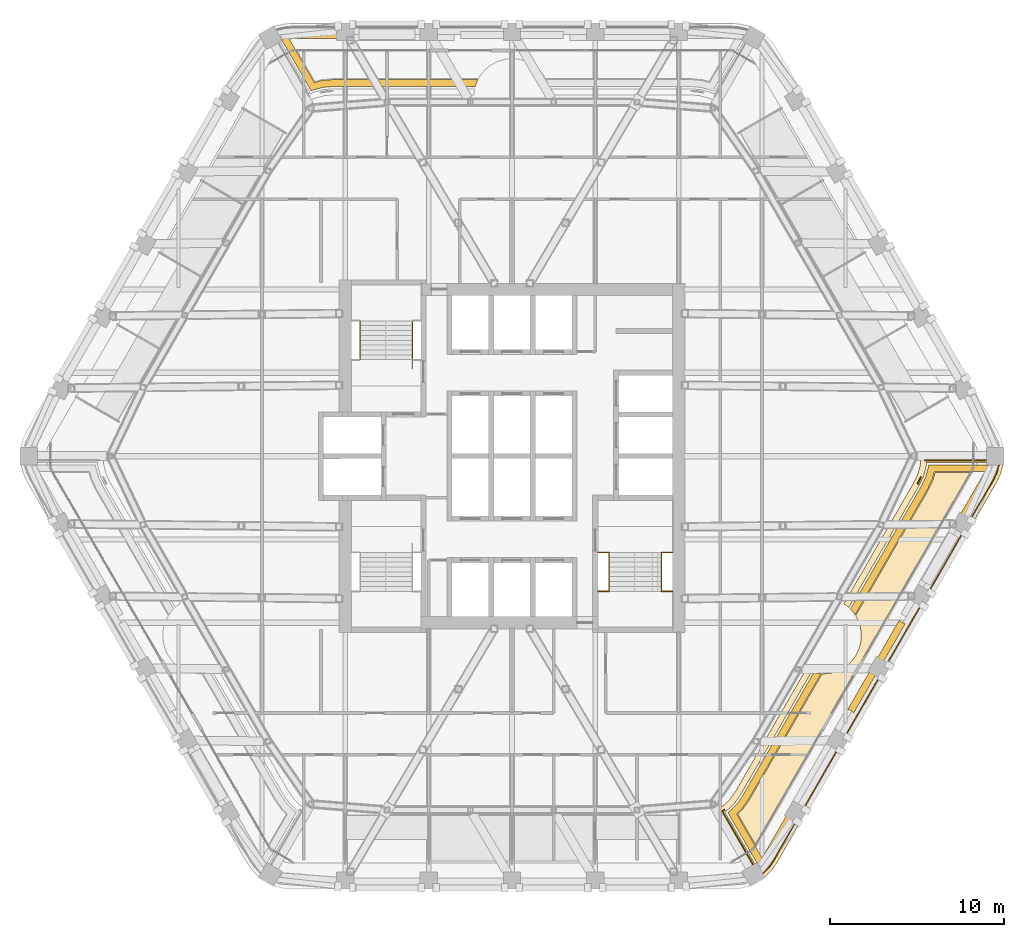
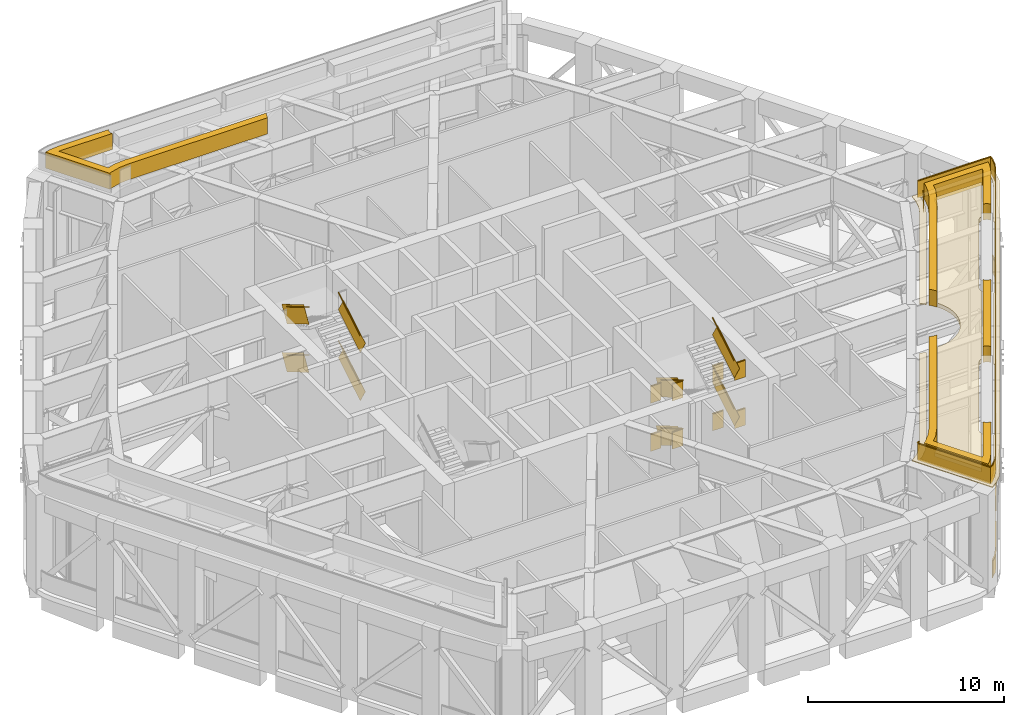
# One storey, part 23 of 24: 6 coverings, 5 railings.
"""IFC4 building model written with IfcOpenShell, lengths in metres."""

from ifc_helpers import new_model, si_unit, direction, frame, frame_2d, origin, origin_2d, place, context, subcontext, project, spatial, polyline, rectangle, outline, extrude, material, layer, layer_set, type_object, element, save


model = new_model("IFC4")

# Units and contexts
model_context = context("Model", 3, precision=1e-05, world=origin(), true_north=direction((0.0, 1.0)))
body_context = subcontext(model_context, "Body", "Model", "MODEL_VIEW")
ifc_project = project(units=[si_unit("LENGTHUNIT", "METRE"), si_unit("AREAUNIT", "SQUARE_METRE"), si_unit("VOLUMEUNIT", "CUBIC_METRE"), si_unit("PLANEANGLEUNIT", "RADIAN"), si_unit("MASSUNIT", "GRAM", prefix="KILO")], contexts=[model_context])

# Site, building, storey
site_placement = place(None, origin())
site = spatial("IfcSite", under=ifc_project, at=site_placement, CompositionType="ELEMENT")
building_placement = place(site_placement, origin())
building = spatial("IfcBuilding", under=site, at=building_placement, Name="Kolab Exchange Tower", CompositionType="ELEMENT")
storey_placement = place(building_placement, frame((0.0, 0.0, 216.800048828125)))
storey = spatial("IfcBuildingStorey", under=building, at=storey_placement, Name="L47", CompositionType="ELEMENT", Elevation=216.800048828125)

# Railings
ifc_material_1 = material(Name="Stainless steel 316", Category="steel")
railing_type_1 = type_object("IfcRailingType", Name="GUARD 1100", PredefinedType="GUARDRAIL", material=ifc_material_1)
railing_1_placement = place(storey_placement, frame((-5.739990234375, 5.550048828125, 0.166748046875)))
element("IfcRailing", 1, at=railing_1_placement, inside=storey, type_object=railing_type_1, Name="Handrail guard ST1", PredefinedType="GUARDRAIL", context=body_context, shape_type="SweptSolid", body=[
    extrude(rectangle(XDim=0.05, YDim=0.05, at=origin_2d()), frame((0.0, 0.0, 1.0751953125), z_axis=(0.0, 0.859305625298, 0.511462454469), x_axis=(-1.0, 0.0, 0.0)), (0.0, 0.0, 1.0), 2.606689453125),
    extrude(rectangle(XDim=0.012, YDim=1.05009765625, at=frame_2d((0.0, 0.525146484375))), frame((0.0, 0.0, 0.0), z_axis=(0.0, 0.859305625298, 0.511462454469), x_axis=(-1.0, 0.0, 0.0)), (0.0, 0.0, 1.0), 2.606689453125),
    extrude(rectangle(XDim=0.05, YDim=0.05, at=origin_2d()), frame((-3.02001953125, 2.239990234375, 2.5751953125), z_axis=(0.0, -0.859305625298, 0.511462454469), x_axis=(1.0, 0.0, 0.0)), (0.0, 0.0, 1.0), 2.606689453125),
    extrude(rectangle(XDim=0.012, YDim=1.05009765625, at=frame_2d((0.0, 0.525146484375))), frame((-3.02001953125, 2.239990234375, 1.5), z_axis=(0.0, -0.859305625298, 0.511462454469), x_axis=(1.0, 0.0, 0.0)), (0.0, 0.0, 1.0), 2.606689453125),
    extrude(rectangle(XDim=0.05, YDim=0.05, at=origin_2d()), frame((0.0, 0.0, 4.0751953125), z_axis=(0.0, 0.859305625298, 0.511462454469), x_axis=(-1.0, 0.0, 0.0)), (0.0, 0.0, 1.0), 2.606689453125),
    extrude(rectangle(XDim=0.012, YDim=1.05009765625, at=frame_2d((0.0, 0.525146484375))), frame((0.0, 0.0, 3.0), z_axis=(0.0, 0.859305625298, 0.511462454469), x_axis=(-1.0, 0.0, 0.0)), (0.0, 0.0, 1.0), 2.606689453125),
    extrude(rectangle(XDim=0.05, YDim=0.05, at=origin_2d()), frame((-3.02001953125, 2.239990234375, 5.5751953125), z_axis=(0.0, -0.859305625298, 0.511462454469), x_axis=(1.0, 0.0, 0.0)), (0.0, 0.0, 1.0), 2.606689453125),
    extrude(rectangle(XDim=0.012, YDim=1.05009765625, at=frame_2d((0.0, 0.525146484375))), frame((-3.02001953125, 2.239990234375, 4.5), z_axis=(0.0, -0.859305625298, 0.511462454469), x_axis=(1.0, 0.0, 0.0)), (0.0, 0.0, 1.0), 2.606689453125),
])
railing_2_placement = place(storey_placement, frame((4.949951171875, -5.550048828125, 0.0)))
element("IfcRailing", 2, at=railing_2_placement, inside=storey, type_object=railing_type_1, Name="Guard ST2", PredefinedType="GUARDRAIL", context=body_context, shape_type="SweptSolid", body=[
    extrude(rectangle(XDim=0.05, YDim=0.05, at=origin_2d()), frame((0.0, 0.0, 1.0751953125), z_axis=(1.0, 0.0, 0.0), x_axis=(0.0, 1.0, 0.0)), (0.0, 0.0, 1.0), 0.64013671875),
    extrude(rectangle(XDim=0.012, YDim=1.05009765625, at=frame_2d((0.0, 0.525146484375))), frame((0.0, 0.0, 0.0), z_axis=(1.0, 0.0, 0.0), x_axis=(0.0, 1.0, 0.0)), (0.0, 0.0, 1.0), 0.64013671875),
    extrude(rectangle(XDim=0.05, YDim=0.05, at=origin_2d()), frame((3.66015625, 0.0, 1.0751953125), z_axis=(1.0, 0.0, 0.0), x_axis=(0.0, 1.0, 0.0)), (0.0, 0.0, 1.0), 0.639892578125),
    extrude(rectangle(XDim=0.012, YDim=1.05009765625, at=frame_2d((0.0, 0.525146484375))), frame((3.66015625, 0.0, 0.0), z_axis=(1.0, 0.0, 0.0), x_axis=(0.0, 1.0, 0.0)), (0.0, 0.0, 1.0), 0.639892578125),
    extrude(rectangle(XDim=0.05, YDim=0.05, at=origin_2d()), frame((0.0, -2.239990234375, 2.5751953125), z_axis=(1.0, 0.0, 0.0), x_axis=(0.0, 1.0, 0.0)), (0.0, 0.0, 1.0), 0.64013671875),
    extrude(rectangle(XDim=0.012, YDim=1.05009765625, at=frame_2d((0.0, 0.525146484375))), frame((0.0, -2.239990234375, 1.5), z_axis=(1.0, 0.0, 0.0), x_axis=(0.0, 1.0, 0.0)), (0.0, 0.0, 1.0), 0.64013671875),
    extrude(rectangle(XDim=0.05, YDim=0.05, at=origin_2d()), frame((3.66015625, -2.239990234375, 2.5751953125), z_axis=(1.0, 0.0, 0.0), x_axis=(0.0, 1.0, 0.0)), (0.0, 0.0, 1.0), 0.639892578125),
    extrude(rectangle(XDim=0.012, YDim=1.05009765625, at=frame_2d((0.0, 0.525146484375))), frame((3.66015625, -2.239990234375, 1.5), z_axis=(1.0, 0.0, 0.0), x_axis=(0.0, 1.0, 0.0)), (0.0, 0.0, 1.0), 0.639892578125),
    extrude(rectangle(XDim=0.05, YDim=0.05, at=origin_2d()), frame((0.0, 0.0, 4.0751953125), z_axis=(1.0, 0.0, 0.0), x_axis=(0.0, 1.0, 0.0)), (0.0, 0.0, 1.0), 0.64013671875),
    extrude(rectangle(XDim=0.012, YDim=1.05009765625, at=frame_2d((0.0, 0.525146484375))), frame((0.0, 0.0, 3.0), z_axis=(1.0, 0.0, 0.0), x_axis=(0.0, 1.0, 0.0)), (0.0, 0.0, 1.0), 0.64013671875),
    extrude(rectangle(XDim=0.05, YDim=0.05, at=origin_2d()), frame((3.66015625, 0.0, 4.0751953125), z_axis=(1.0, 0.0, 0.0), x_axis=(0.0, 1.0, 0.0)), (0.0, 0.0, 1.0), 0.639892578125),
    extrude(rectangle(XDim=0.012, YDim=1.05009765625, at=frame_2d((0.0, 0.525146484375))), frame((3.66015625, 0.0, 3.0), z_axis=(1.0, 0.0, 0.0), x_axis=(0.0, 1.0, 0.0)), (0.0, 0.0, 1.0), 0.639892578125),
    extrude(rectangle(XDim=0.05, YDim=0.05, at=origin_2d()), frame((0.0, -2.239990234375, 5.5751953125), z_axis=(1.0, 0.0, 0.0), x_axis=(0.0, 1.0, 0.0)), (0.0, 0.0, 1.0), 0.64013671875),
    extrude(rectangle(XDim=0.012, YDim=1.05009765625, at=frame_2d((0.0, 0.525146484375))), frame((0.0, -2.239990234375, 4.5), z_axis=(1.0, 0.0, 0.0), x_axis=(0.0, 1.0, 0.0)), (0.0, 0.0, 1.0), 0.64013671875),
    extrude(rectangle(XDim=0.05, YDim=0.05, at=origin_2d()), frame((3.66015625, -2.239990234375, 5.5751953125), z_axis=(1.0, 0.0, 0.0), x_axis=(0.0, 1.0, 0.0)), (0.0, 0.0, 1.0), 0.639892578125),
    extrude(rectangle(XDim=0.012, YDim=1.05009765625, at=frame_2d((0.0, 0.525146484375))), frame((3.66015625, -2.239990234375, 4.5), z_axis=(1.0, 0.0, 0.0), x_axis=(0.0, 1.0, 0.0)), (0.0, 0.0, 1.0), 0.639892578125),
])
railing_3_placement = place(storey_placement, frame((5.590087890625, -5.550048828125, 0.166748046875)))
element("IfcRailing", 3, at=railing_3_placement, inside=storey, type_object=railing_type_1, Name="Handrail guard ST2", PredefinedType="GUARDRAIL", context=body_context, shape_type="SweptSolid", body=[
    extrude(rectangle(XDim=0.05, YDim=0.05, at=origin_2d()), frame((0.0, 0.0, 1.0751953125), z_axis=(0.0, -0.859305625298, 0.511462454469), x_axis=(1.0, 0.0, 0.0)), (0.0, 0.0, 1.0), 2.606689453125),
    extrude(rectangle(XDim=0.012, YDim=1.05009765625, at=frame_2d((0.0, 0.525146484375))), frame((0.0, 0.0, 0.0), z_axis=(0.0, -0.859305625298, 0.511462454469), x_axis=(1.0, 0.0, 0.0)), (0.0, 0.0, 1.0), 2.606689453125),
    extrude(rectangle(XDim=0.05, YDim=0.05, at=origin_2d()), frame((3.02001953125, -2.239990234375, 2.5751953125), z_axis=(0.0, 0.859305625298, 0.511462454469), x_axis=(-1.0, 0.0, 0.0)), (0.0, 0.0, 1.0), 2.606689453125),
    extrude(rectangle(XDim=0.012, YDim=1.05009765625, at=frame_2d((0.0, 0.525146484375))), frame((3.02001953125, -2.239990234375, 1.5), z_axis=(0.0, 0.859305625298, 0.511462454469), x_axis=(-1.0, 0.0, 0.0)), (0.0, 0.0, 1.0), 2.606689453125),
    extrude(rectangle(XDim=0.05, YDim=0.05, at=origin_2d()), frame((0.0, 0.0, 4.0751953125), z_axis=(0.0, -0.859305625298, 0.511462454469), x_axis=(1.0, 0.0, 0.0)), (0.0, 0.0, 1.0), 2.606689453125),
    extrude(rectangle(XDim=0.012, YDim=1.05009765625, at=frame_2d((0.0, 0.525146484375))), frame((0.0, 0.0, 3.0), z_axis=(0.0, -0.859305625298, 0.511462454469), x_axis=(1.0, 0.0, 0.0)), (0.0, 0.0, 1.0), 2.606689453125),
    extrude(rectangle(XDim=0.05, YDim=0.05, at=origin_2d()), frame((3.02001953125, -2.239990234375, 5.5751953125), z_axis=(0.0, 0.859305625298, 0.511462454469), x_axis=(-1.0, 0.0, 0.0)), (0.0, 0.0, 1.0), 2.606689453125),
    extrude(rectangle(XDim=0.012, YDim=1.05009765625, at=frame_2d((0.0, 0.525146484375))), frame((3.02001953125, -2.239990234375, 4.5), z_axis=(0.0, 0.859305625298, 0.511462454469), x_axis=(-1.0, 0.0, 0.0)), (0.0, 0.0, 1.0), 2.606689453125),
])
ifc_material_2 = material(Name="Steel S235", Category="steel")
railing_type_2 = type_object("IfcRailingType", Name="GUARD 1100 GLASS BALUSTRADE AND STEEL TOP RAIL", PredefinedType="GUARDRAIL", material=ifc_material_2)
railing_4_placement = place(storey_placement, frame((14.4501953125, -24.033447265625, 0.0)))
element("IfcRailing", 4, at=railing_4_placement, inside=storey, type_object=railing_type_2, Name="Guard", PredefinedType="GUARDRAIL", context=body_context, shape_type="SweptSolid", body=[
    extrude(rectangle(XDim=0.05, YDim=0.05, at=origin_2d()), frame((0.0, 0.0, 1.0751953125), z_axis=(0.70737286085, 0.706840601361, 0.0), x_axis=(-0.706840601361, 0.70737286085, 0.0)), (0.0, 0.0, 1.0), 0.458740234375),
    extrude(rectangle(XDim=0.012, YDim=1.05009765625, at=frame_2d((0.0, 0.525146484375))), frame((0.0, 0.0, 0.0), z_axis=(0.70737286085, 0.706840601361, 0.0), x_axis=(-0.706840601361, 0.70737286085, 0.0)), (0.0, 0.0, 1.0), 0.458740234375),
    extrude(rectangle(XDim=0.05, YDim=0.05, at=origin_2d()), frame((0.324462890625, 0.32421875, 1.0751953125), z_axis=(0.573599091554, 0.819136180478, 0.0), x_axis=(-0.819136180478, 0.573599091554, 0.0)), (0.0, 0.0, 1.0), 0.479248046875),
    extrude(rectangle(XDim=0.012, YDim=1.05009765625, at=frame_2d((0.0, 0.525146484375))), frame((0.324462890625, 0.32421875, 0.0), z_axis=(0.573599091554, 0.819136180478, 0.0), x_axis=(-0.819136180478, 0.573599091554, 0.0)), (0.0, 0.0, 1.0), 0.479248046875),
    extrude(rectangle(XDim=0.05, YDim=0.05, at=origin_2d()), frame((0.599365234375, 0.716796875, 1.0751953125), z_axis=(0.499952873616, 0.866052610505, 0.0), x_axis=(-0.866052610505, 0.499952873616, 0.0)), (0.0, 0.0, 1.0), 2.568115234375),
    extrude(rectangle(XDim=0.012, YDim=1.05009765625, at=frame_2d((0.0, 0.525146484375))), frame((0.599365234375, 0.716796875, 0.0), z_axis=(0.499952873616, 0.866052610505, 0.0), x_axis=(-0.866052610505, 0.499952873616, 0.0)), (0.0, 0.0, 1.0), 2.568115234375),
    extrude(rectangle(XDim=0.05, YDim=0.05, at=origin_2d()), frame((2.38330078125, 3.806884765625, 1.0751953125), z_axis=(0.499994975061, 0.866028304915, 0.0), x_axis=(-0.866028304915, 0.499994975061, 0.0)), (0.0, 0.0, 1.0), 3.7998046875),
    extrude(rectangle(XDim=0.012, YDim=1.05009765625, at=frame_2d((0.0, 0.525146484375))), frame((2.38330078125, 3.806884765625, 0.0), z_axis=(0.499994975061, 0.866028304915, 0.0), x_axis=(-0.866028304915, 0.499994975061, 0.0)), (0.0, 0.0, 1.0), 3.7998046875),
    extrude(rectangle(XDim=0.05, YDim=0.05, at=origin_2d()), frame((4.783203125, 7.9638671875, 1.0751953125), z_axis=(0.500043160704, 0.866000483506, 0.0), x_axis=(-0.866000483506, 0.500043160704, 0.0)), (0.0, 0.0, 1.0), 3.800048828125),
    extrude(rectangle(XDim=0.012, YDim=1.05009765625, at=frame_2d((0.0, 0.525146484375))), frame((4.783203125, 7.9638671875, 0.0), z_axis=(0.500043160704, 0.866000483506, 0.0), x_axis=(-0.866000483506, 0.500043160704, 0.0)), (0.0, 0.0, 1.0), 3.800048828125),
    extrude(rectangle(XDim=0.05, YDim=0.05, at=origin_2d()), frame((7.183349609375, 12.12060546875, 1.0751953125), z_axis=(0.499967155389, 0.866044365799, 0.0), x_axis=(-0.866044365799, 0.499967155389, 0.0)), (0.0, 0.0, 1.0), 3.800048828125),
    extrude(rectangle(XDim=0.012, YDim=1.05009765625, at=frame_2d((0.0, 0.525146484375))), frame((7.183349609375, 12.12060546875, 0.0), z_axis=(0.499967155389, 0.866044365799, 0.0), x_axis=(-0.866044365799, 0.499967155389, 0.0)), (0.0, 0.0, 1.0), 3.800048828125),
    extrude(rectangle(XDim=0.05, YDim=0.05, at=origin_2d()), frame((9.583251953125, 16.277587890625, 1.0751953125), z_axis=(0.500015340139, 0.86601654697, 0.0), x_axis=(-0.86601654697, 0.500015340139, 0.0)), (0.0, 0.0, 1.0), 3.80029296875),
    extrude(rectangle(XDim=0.012, YDim=1.05009765625, at=frame_2d((0.0, 0.525146484375))), frame((9.583251953125, 16.277587890625, 0.0), z_axis=(0.500015340139, 0.86601654697, 0.0), x_axis=(-0.86601654697, 0.500015340139, 0.0)), (0.0, 0.0, 1.0), 3.80029296875),
    extrude(rectangle(XDim=0.05, YDim=0.05, at=origin_2d()), frame((11.9833984375, 20.4345703125, 1.0751953125), z_axis=(0.499994038704, 0.866028845513, 0.0), x_axis=(-0.866028845513, 0.499994038704, 0.0)), (0.0, 0.0, 1.0), 2.56787109375),
    extrude(rectangle(XDim=0.012, YDim=1.05009765625, at=frame_2d((0.0, 0.525146484375))), frame((11.9833984375, 20.4345703125, 0.0), z_axis=(0.499994038704, 0.866028845513, 0.0), x_axis=(-0.866028845513, 0.499994038704, 0.0)), (0.0, 0.0, 1.0), 2.56787109375),
    extrude(rectangle(XDim=0.05, YDim=0.05, at=origin_2d()), frame((13.267333984375, 22.658447265625, 1.0751953125), z_axis=(0.422801802984, 0.906222177721, 0.0), x_axis=(-0.906222177721, 0.422801802984, 0.0)), (0.0, 0.0, 1.0), 0.479248046875),
    extrude(rectangle(XDim=0.012, YDim=1.05009765625, at=frame_2d((0.0, 0.525146484375))), frame((13.267333984375, 22.658447265625, 0.0), z_axis=(0.422801802984, 0.906222177721, 0.0), x_axis=(-0.906222177721, 0.422801802984, 0.0)), (0.0, 0.0, 1.0), 0.479248046875),
    extrude(rectangle(XDim=0.05, YDim=0.05, at=origin_2d()), frame((13.469970703125, 23.0927734375, 1.0751953125), z_axis=(0.25865627591, 0.965969425465, 0.0), x_axis=(-0.965969425465, 0.25865627591, 0.0)), (0.0, 0.0, 1.0), 0.458740234375),
    extrude(rectangle(XDim=0.012, YDim=1.05009765625, at=frame_2d((0.0, 0.525146484375))), frame((13.469970703125, 23.0927734375, 0.0), z_axis=(0.25865627591, 0.965969425465, 0.0), x_axis=(-0.965969425465, 0.25865627591, 0.0)), (0.0, 0.0, 1.0), 0.458740234375),
])
railing_5_placement = place(storey_placement, frame((15.054931640625, -23.30712890625, 6.0)))
element("IfcRailing", 5, at=railing_5_placement, inside=storey, type_object=railing_type_2, Name="Ledge guard", PredefinedType="GUARDRAIL", context=body_context, shape_type="SweptSolid", body=[
    extrude(rectangle(XDim=0.05, YDim=0.05, at=origin_2d()), frame((8.3056640625, 21.701416015625, 1.0751953125), z_axis=(0.422680680611, 0.906278678023, 0.0), x_axis=(-0.906278678023, 0.422680680611, 0.0)), (0.0, 0.0, 1.0), 0.456787109375),
    extrude(rectangle(XDim=0.012, YDim=1.05009765625, at=frame_2d((0.0, 0.525146484375))), frame((8.3056640625, 21.701416015625, 0.0), z_axis=(0.422680680611, 0.906278678023, 0.0), x_axis=(-0.906278678023, 0.422680680611, 0.0)), (0.0, 0.0, 1.0), 0.456787109375),
    extrude(rectangle(XDim=0.05, YDim=0.05, at=origin_2d()), frame((8.7099609375, 23.05712890625, 1.0751953125), z_axis=(1.0, 0.0, 0.0), x_axis=(0.0, 1.0, 0.0)), (0.0, 0.0, 1.0), 4.298095703125),
    extrude(rectangle(XDim=0.012, YDim=1.05009765625, at=frame_2d((0.0, 0.525146484375))), frame((8.7099609375, 23.05712890625, 0.0), z_axis=(1.0, 0.0, 0.0), x_axis=(0.0, 1.0, 0.0)), (0.0, 0.0, 1.0), 4.298095703125),
    extrude(rectangle(XDim=0.05, YDim=0.05, at=origin_2d()), frame((13.008056640625, 23.05712890625, 1.0751953125), z_axis=(-0.086675791965, -0.996236571848, 0.0), x_axis=(0.996236571848, -0.086675791965, 0.0)), (0.0, 0.0, 1.0), 0.228271484375),
    extrude(rectangle(XDim=0.012, YDim=1.05009765625, at=frame_2d((0.0, 0.525146484375))), frame((13.008056640625, 23.05712890625, 0.0), z_axis=(-0.086675791965, -0.996236571848, 0.0), x_axis=(0.996236571848, -0.086675791965, 0.0)), (0.0, 0.0, 1.0), 0.228271484375),
    extrude(rectangle(XDim=0.05, YDim=0.05, at=origin_2d()), frame((12.98828125, 22.829833984375, 1.0751953125), z_axis=(-0.258803991931, -0.965929859648, 0.0), x_axis=(0.965929859648, -0.258803991931, 0.0)), (0.0, 0.0, 1.0), 0.479248046875),
    extrude(rectangle(XDim=0.012, YDim=1.05009765625, at=frame_2d((0.0, 0.525146484375))), frame((12.98828125, 22.829833984375, 0.0), z_axis=(-0.258803991931, -0.965929859648, 0.0), x_axis=(0.965929859648, -0.258803991931, 0.0)), (0.0, 0.0, 1.0), 0.479248046875),
    extrude(rectangle(XDim=0.05, YDim=0.05, at=origin_2d()), frame((12.8642578125, 22.366943359375, 1.0751953125), z_axis=(-0.422749163714, -0.906246734934, 0.0), x_axis=(0.906246734934, -0.422749163714, 0.0)), (0.0, 0.0, 1.0), 0.490234375),
    extrude(rectangle(XDim=0.012, YDim=1.05009765625, at=frame_2d((0.0, 0.525146484375))), frame((12.8642578125, 22.366943359375, 0.0), z_axis=(-0.422749163714, -0.906246734934, 0.0), x_axis=(0.906246734934, -0.422749163714, 0.0)), (0.0, 0.0, 1.0), 0.490234375),
    extrude(rectangle(XDim=0.05, YDim=0.05, at=origin_2d()), frame((12.656982421875, 21.922607421875, 1.0751953125), z_axis=(-0.499998788977, -0.866026102968, 0.0), x_axis=(0.866026102968, -0.499998788977, 0.0)), (0.0, 0.0, 1.0), 25.31396484375),
    extrude(rectangle(XDim=0.012, YDim=1.05009765625, at=frame_2d((0.0, 0.525146484375))), frame((12.656982421875, 21.922607421875, 0.0), z_axis=(-0.499998788977, -0.866026102968, 0.0), x_axis=(0.866026102968, -0.499998788977, 0.0)), (0.0, 0.0, 1.0), 25.31396484375),
    extrude(rectangle(XDim=0.05, YDim=0.05, at=origin_2d()), frame((0.0, 0.0, 1.0751953125), z_axis=(-0.573529226717, -0.819185098803, 0.0), x_axis=(0.819185098803, -0.573529226717, 0.0)), (0.0, 0.0, 1.0), 0.489990234375),
    extrude(rectangle(XDim=0.012, YDim=1.05009765625, at=frame_2d((0.0, 0.525146484375))), frame((0.0, 0.0, 0.0), z_axis=(-0.573529226717, -0.819185098803, 0.0), x_axis=(0.819185098803, -0.573529226717, 0.0)), (0.0, 0.0, 1.0), 0.489990234375),
    extrude(rectangle(XDim=0.05, YDim=0.05, at=origin_2d()), frame((-0.281005859375, -0.4013671875, 1.0751953125), z_axis=(-0.707106781187, -0.707106781187, 0.0), x_axis=(0.707106781187, -0.707106781187, 0.0)), (0.0, 0.0, 1.0), 0.479248046875),
    extrude(rectangle(XDim=0.012, YDim=1.05009765625, at=frame_2d((0.0, 0.525146484375))), frame((-0.281005859375, -0.4013671875, 0.0), z_axis=(-0.707106781187, -0.707106781187, 0.0), x_axis=(0.707106781187, -0.707106781187, 0.0)), (0.0, 0.0, 1.0), 0.479248046875),
    extrude(rectangle(XDim=0.05, YDim=0.05, at=origin_2d()), frame((-0.619873046875, -0.740234375, 1.0751953125), z_axis=(-0.819332409574, -0.573318761791, 0.0), x_axis=(0.573318761791, -0.819332409574, 0.0)), (0.0, 0.0, 1.0), 0.228271484375),
    extrude(rectangle(XDim=0.012, YDim=1.05009765625, at=frame_2d((0.0, 0.525146484375))), frame((-0.619873046875, -0.740234375, 0.0), z_axis=(-0.819332409574, -0.573318761791, 0.0), x_axis=(0.573318761791, -0.819332409574, 0.0)), (0.0, 0.0, 1.0), 0.228271484375),
    extrude(rectangle(XDim=0.05, YDim=0.05, at=origin_2d()), frame((-0.806884765625, -0.87109375, 1.0751953125), z_axis=(-0.500030579029, 0.866007748254, 0.0), x_axis=(-0.866007748254, -0.500030579029, 0.0)), (0.0, 0.0, 1.0), 4.298095703125),
    extrude(rectangle(XDim=0.012, YDim=1.05009765625, at=frame_2d((0.0, 0.525146484375))), frame((-0.806884765625, -0.87109375, 0.0), z_axis=(-0.500030579029, 0.866007748254, 0.0), x_axis=(-0.866007748254, -0.500030579029, 0.0)), (0.0, 0.0, 1.0), 4.298095703125),
    extrude(rectangle(XDim=0.05, YDim=0.05, at=origin_2d()), frame((-2.9560546875, 2.85107421875, 1.0751953125), z_axis=(0.819605581013, 0.572928173135, 0.0), x_axis=(-0.572928173135, 0.819605581013, 0.0)), (0.0, 0.0, 1.0), 0.1533203125),
    extrude(rectangle(XDim=0.012, YDim=1.05009765625, at=frame_2d((0.0, 0.525146484375))), frame((-2.9560546875, 2.85107421875, 0.0), z_axis=(0.819605581013, 0.572928173135, 0.0), x_axis=(-0.572928173135, 0.819605581013, 0.0)), (0.0, 0.0, 1.0), 0.1533203125),
])

# Coverings
ifc_material_3 = material(Name="Planting soil and turf", Category="soil")
ifc_layer_1 = layer(ifc_material_3, 0.25)
ifc_layer_set_1 = layer_set([ifc_layer_1], Name="Planting soil and turf")
covering_type_1 = type_object("IfcCoveringType", Name="PLANTING SOIL AND TURF 250", PredefinedType="USERDEFINED", material=ifc_layer_set_1)
covering_1_placement = place(storey_placement, frame((0.0, 0.0, 6.0)))
element("IfcCovering", 6, at=covering_1_placement, inside=storey, type_object=covering_type_1, Name="Planting soil and turf", ObjectType="PLANTING", PredefinedType="USERDEFINED", context=body_context, shape_type="SweptSolid", body=[
    extrude(outline(polyline([(13.296630859375, -20.325927734375), (13.66796875, -19.79541015625), (17.857177734375, -12.53955078125), (17.913330078125, -12.542236328125), (18.129150390625, -12.53173828125), (18.342529296875, -12.5), (18.552001953125, -12.447509765625), (18.75537109375, -12.374755859375), (18.950439453125, -12.282470703125), (19.1357421875, -12.171630859375), (19.30908203125, -12.04296875), (19.468994140625, -11.89794921875), (19.614013671875, -11.738037109375), (19.74267578125, -11.564453125), (19.853515625, -11.37939453125), (19.946044921875, -11.184326171875), (20.0185546875, -10.98095703125), (20.071044921875, -10.771484375), (20.102783203125, -10.557861328125), (20.11328125, -10.34228515625), (20.102783203125, -10.126708984375), (20.071044921875, -9.9130859375), (20.0185546875, -9.70361328125), (19.946044921875, -9.50048828125), (19.853515625, -9.30517578125), (19.787841796875, -9.195556640625), (23.9775390625, -1.93896484375), (24.2509765625, -1.352294921875), (24.35888671875, -0.949951171875), (27.142333984375, -0.949951171875), (27.090576171875, -1.06103515625), (25.600341796875, -3.64208984375), (25.595703125, -3.642578125), (25.55712890625, -3.65087890625), (25.519775390625, -3.662841796875), (25.48388671875, -3.678466796875), (25.449462890625, -3.697509765625), (25.417236328125, -3.719970703125), (25.387451171875, -3.745361328125), (25.360107421875, -3.773681640625), (25.335693359375, -3.80419921875), (25.314453125, -3.83740234375), (22.314453125, -9.033447265625), (22.29638671875, -9.068359375), (22.281982421875, -9.10498046875), (22.271240234375, -9.142578125), (22.26416015625, -9.18115234375), (22.260986328125, -9.220458984375), (22.26171875, -9.259521484375), (22.26611328125, -9.298583984375), (22.2744140625, -9.3369140625), (22.286376953125, -9.374267578125), (22.288330078125, -9.378662109375), (19.266357421875, -14.61279296875), (19.26171875, -14.613525390625), (19.223388671875, -14.62158203125), (19.185791015625, -14.6337890625), (19.14990234375, -14.6494140625), (19.115478515625, -14.66845703125), (19.083251953125, -14.690673828125), (19.053466796875, -14.716064453125), (19.026123046875, -14.744384765625), (19.001708984375, -14.775146484375), (18.98046875, -14.80810546875), (15.98046875, -20.004150390625), (15.96240234375, -20.0390625), (15.947998046875, -20.07568359375), (15.937255859375, -20.11328125), (15.93017578125, -20.152099609375), (15.927001953125, -20.191162109375), (15.927734375, -20.23046875), (15.93212890625, -20.269287109375), (15.9404296875, -20.307861328125), (15.952392578125, -20.34521484375), (15.954345703125, -20.349365234375), (14.464111328125, -22.9306640625), (14.393798828125, -23.03076171875), (13.002197265625, -20.620361328125), (13.296630859375, -20.325927734375)])), origin(), (0.0, 0.0, 1.0), 0.25),
])
ifc_material_4 = material(Name="Limestone coping", Category="masonry")
ifc_layer_2 = layer(ifc_material_4, 0.050048828125)
ifc_layer_set_2 = layer_set([ifc_layer_2], Name="Limestone coping")
covering_type_2 = type_object("IfcCoveringType", Name="TERRACE EDGE BAND LIMESTONE 50", PredefinedType="CLADDING", material=ifc_layer_set_2)
covering_2_placement = place(storey_placement, frame((0.0, 0.0, 6.0)))
element("IfcCovering", 7, at=covering_2_placement, inside=storey, type_object=covering_type_2, Name="Terrace edge band", PredefinedType="CLADDING", context=body_context, shape_type="SweptSolid", body=[
    extrude(outline(polyline([(14.58349609375, -24.224365234375), (14.17431640625, -24.5107421875), (11.79443359375, -20.388671875), (12.209228515625, -20.09814453125), (12.58154296875, -19.725830078125), (12.8828125, -19.29541015625), (16.919921875, -12.30322265625), (17.071533203125, -12.374755859375), (17.24658203125, -12.4375), (13.178466796875, -19.483642578125), (12.8505859375, -19.95166015625), (12.43505859375, -20.3671875), (12.2578125, -20.4912109375), (14.286376953125, -24.0048828125), (14.357666015625, -23.955078125), (14.681640625, -23.631103515625), (14.95361328125, -23.242431640625), (16.499755859375, -20.564697265625), (16.503662109375, -20.56298828125), (16.5380859375, -20.5439453125), (16.5703125, -20.521484375), (16.600341796875, -20.49609375), (16.62744140625, -20.468017578125), (16.65185546875, -20.437255859375), (16.673095703125, -20.404296875), (19.673095703125, -15.2080078125), (19.691162109375, -15.173095703125), (19.70556640625, -15.13671875), (19.71630859375, -15.098876953125), (19.723388671875, -15.060302734375), (19.7265625, -15.021240234375), (19.725830078125, -14.98193359375), (19.725341796875, -14.9775390625), (22.833740234375, -9.593994140625), (22.837646484375, -9.59228515625), (22.8720703125, -9.5732421875), (22.904296875, -9.55078125), (22.934326171875, -9.525390625), (22.96142578125, -9.497314453125), (22.98583984375, -9.466552734375), (23.007080078125, -9.433349609375), (26.007080078125, -4.2373046875), (26.025146484375, -4.202392578125), (26.03955078125, -4.165771484375), (26.05029296875, -4.128173828125), (26.057373046875, -4.089599609375), (26.060546875, -4.05029296875), (26.059814453125, -4.01123046875), (26.059326171875, -4.0068359375), (27.60546875, -1.3291015625), (27.805908203125, -0.89892578125), (27.924560546875, -0.45654296875), (27.93212890625, -0.3701171875), (23.875, -0.3701171875), (23.856201171875, -0.58544921875), (23.7041015625, -1.153076171875), (23.46240234375, -1.6708984375), (19.393798828125, -8.71826171875), (19.30908203125, -8.6416015625), (19.1357421875, -8.51318359375), (19.115234375, -8.500732421875), (23.151611328125, -1.50927734375), (23.373779296875, -1.032958984375), (23.510009765625, -0.5244140625), (23.55419921875, -0.02001953125), (28.31396484375, -0.02001953125), (28.2705078125, -0.517578125), (28.13623046875, -1.019287109375), (27.916259765625, -1.49072265625), (15.2490234375, -23.4306640625), (14.95068359375, -23.85693359375), (14.58349609375, -24.224365234375)])), origin(), (0.0, 0.0, 1.0), 0.050048828125),
])
ifc_material_5 = material(Name="Terrace hedge planting", Category="soil")
ifc_layer_3 = layer(ifc_material_5, 1.0)
ifc_layer_set_3 = layer_set([ifc_layer_3], Name="Terrace hedge planting")
covering_type_3 = type_object("IfcCoveringType", Name="TERRACE HEDGE 1000 X 400", PredefinedType="USERDEFINED", material=ifc_layer_set_3)
covering_3_placement = place(storey_placement, frame((0.0, 0.0, 6.0)))
element("IfcCovering", 8, at=covering_3_placement, inside=storey, type_object=covering_type_3, Name="Terrace hedge", ObjectType="PLANTING", PredefinedType="USERDEFINED", context=body_context, shape_type="SweptSolid", body=[
    extrude(outline(polyline([(-12.64599609375, 24.441650390625), (-9.679931640625, 24.441650390625), (-9.686767578125, 24.43017578125), (-9.70361328125, 24.39453125), (-9.716796875, 24.357666015625), (-9.726318359375, 24.319580078125), (-9.73193359375, 24.28076171875), (-9.73388671875, 24.241455078125), (-9.73193359375, 24.202392578125), (-9.726318359375, 24.16357421875), (-9.716796875, 24.12548828125), (-9.70361328125, 24.08837890625), (-9.686767578125, 24.052978515625), (-9.679931640625, 24.04150390625), (-12.628662109375, 24.04150390625), (-12.8310546875, 24.02392578125), (-11.380859375, 21.51220703125), (-10.94580078125, 21.628662109375), (-10.30712890625, 21.6845703125), (-1.957763671875, 21.6845703125), (-2.032470703125, 21.526611328125), (-2.105224609375, 21.3232421875), (-2.114990234375, 21.28466796875), (-10.289794921875, 21.28466796875), (-10.8759765625, 21.2333984375), (-11.465576171875, 21.075439453125), (-11.56396484375, 21.029541015625), (-13.4560546875, 24.306640625), (-13.101806640625, 24.401611328125), (-12.64599609375, 24.441650390625)])), origin(), (0.0, 0.0, 1.0), 1.0),
])
covering_4_placement = place(storey_placement, frame((0.0, 0.0, 6.0)))
element("IfcCovering", 9, at=covering_4_placement, inside=storey, type_object=covering_type_3, Name="Terrace hedge", ObjectType="PLANTING", PredefinedType="USERDEFINED", context=body_context, shape_type="SweptSolid", body=[
    extrude(outline(polyline([(12.51904296875, -20.46728515625), (12.95068359375, -20.03564453125), (13.2880859375, -19.553466796875), (17.3759765625, -12.472900390625), (17.484130859375, -12.5), (17.69775390625, -12.53173828125), (17.801025390625, -12.536865234375), (13.625732421875, -19.7685546875), (13.258056640625, -20.293701171875), (12.939697265625, -20.612060546875), (14.389892578125, -23.123779296875), (14.50634765625, -22.95751953125), (15.980712890625, -20.40380859375), (15.987060546875, -20.41552734375), (16.009521484375, -20.44775390625), (16.034912109375, -20.477783203125), (16.06298828125, -20.5048828125), (16.09375, -20.529296875), (16.126708984375, -20.550537109375), (16.16162109375, -20.568603515625), (16.1982421875, -20.5830078125), (16.236083984375, -20.59375), (16.274658203125, -20.600830078125), (16.313720703125, -20.60400390625), (16.3271484375, -20.603759765625), (14.843994140625, -23.172607421875), (14.58154296875, -23.54736328125), (14.322265625, -23.806640625), (12.429931640625, -20.529541015625), (12.51904296875, -20.46728515625)])), origin(), (0.0, 0.0, 1.0), 1.0),
])
covering_5_placement = place(storey_placement, frame((0.0, 0.0, 6.0)))
element("IfcCovering", 10, at=covering_5_placement, inside=storey, type_object=covering_type_3, Name="Terrace hedge", ObjectType="PLANTING", PredefinedType="USERDEFINED", context=body_context, shape_type="SweptSolid", body=[
    extrude(outline(polyline([(19.6728515625, -14.80859375), (19.66650390625, -14.796875), (19.64404296875, -14.7646484375), (19.61865234375, -14.734619140625), (19.590576171875, -14.707275390625), (19.559814453125, -14.682861328125), (19.52685546875, -14.66162109375), (19.491943359375, -14.643798828125), (19.455322265625, -14.62939453125), (19.417724609375, -14.618408203125), (19.37890625, -14.611572265625), (19.33984375, -14.6083984375), (19.32666015625, -14.6083984375), (22.314697265625, -9.43310546875), (22.321044921875, -9.444580078125), (22.343505859375, -9.47705078125), (22.368896484375, -9.5068359375), (22.39697265625, -9.5341796875), (22.427734375, -9.55859375), (22.460693359375, -9.579833984375), (22.49560546875, -9.597900390625), (22.5322265625, -9.6123046875), (22.56982421875, -9.623046875), (22.608642578125, -9.630126953125), (22.647705078125, -9.63330078125), (22.6611328125, -9.633056640625), (19.6728515625, -14.80859375)])), origin(), (0.0, 0.0, 1.0), 1.0),
])
covering_6_placement = place(storey_placement, frame((0.0, 0.0, 6.0)))
element("IfcCovering", 11, at=covering_6_placement, inside=storey, type_object=covering_type_3, Name="Terrace hedge", ObjectType="PLANTING", PredefinedType="USERDEFINED", context=body_context, shape_type="SweptSolid", body=[
    extrude(outline(polyline([(23.577880859375, -1.731201171875), (23.82666015625, -1.19775390625), (23.984619140625, -0.608154296875), (23.994140625, -0.5), (27.7783203125, -0.5), (27.683349609375, -0.8544921875), (27.489990234375, -1.268798828125), (26.0068359375, -3.837646484375), (26.00048828125, -3.826171875), (25.97802734375, -3.793701171875), (25.95263671875, -3.763916015625), (25.924560546875, -3.736572265625), (25.893798828125, -3.712158203125), (25.86083984375, -3.69091796875), (25.825927734375, -3.6728515625), (25.789306640625, -3.658447265625), (25.751708984375, -3.647705078125), (25.712890625, -3.640625), (25.673828125, -3.637451171875), (25.660400390625, -3.6376953125), (27.135009765625, -1.083984375), (27.220703125, -0.89990234375), (24.320556640625, -0.89990234375), (24.203857421875, -1.3349609375), (23.93310546875, -1.916015625), (19.758544921875, -9.146484375), (19.74267578125, -9.1201171875), (19.614013671875, -8.946533203125), (19.49072265625, -8.810546875), (23.577880859375, -1.731201171875)])), origin(), (0.0, 0.0, 1.0), 1.0),
])

save(model, "model.ifc")
